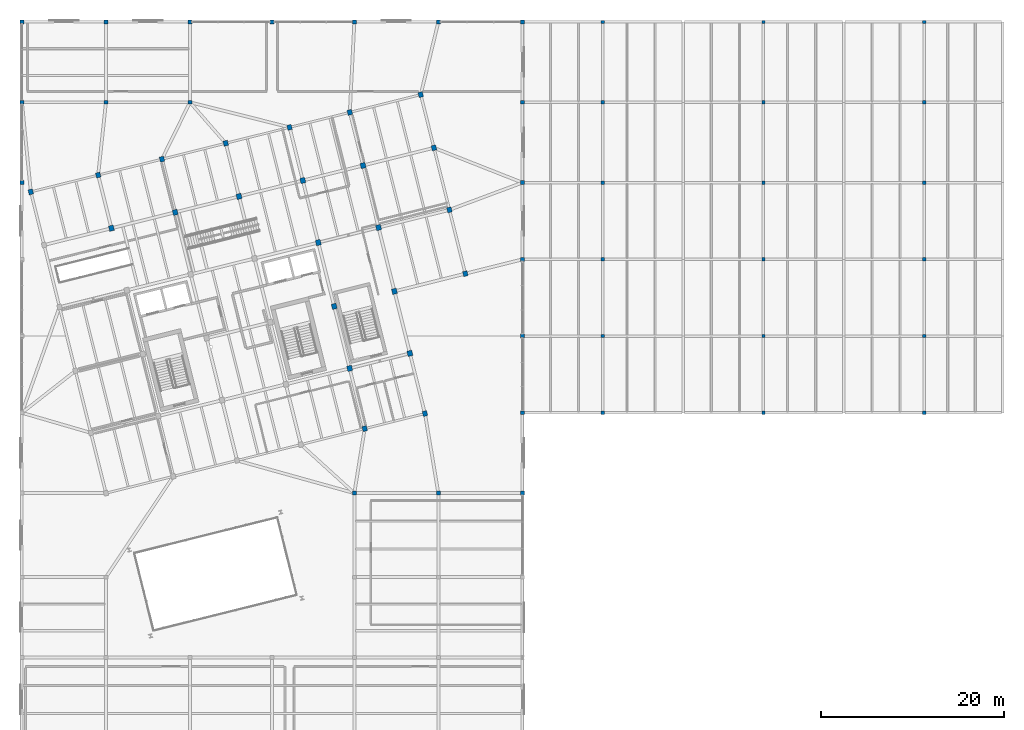
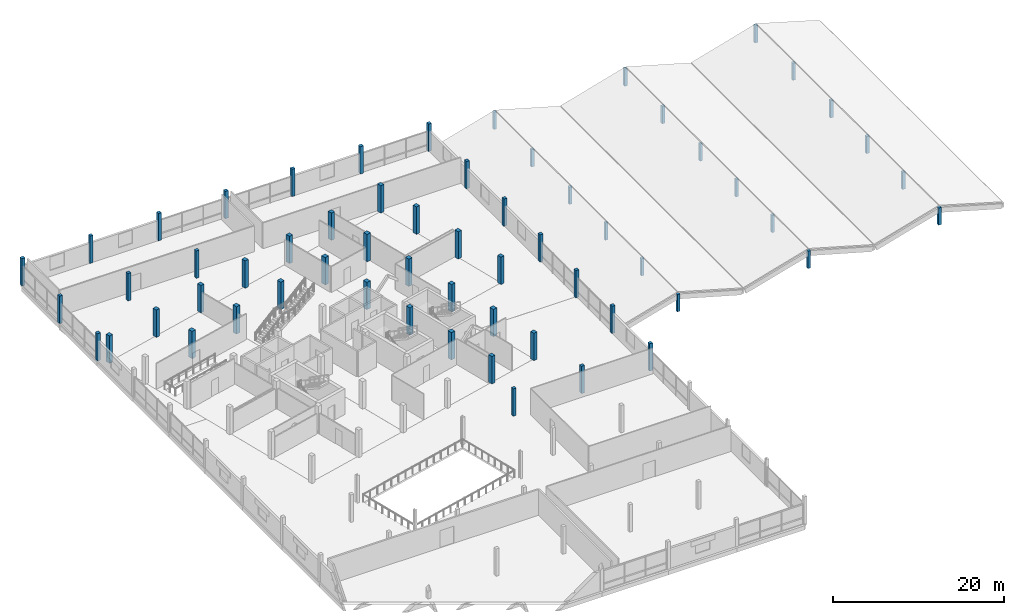
# One storey, part 4 of 47: 60 columns.
"""IFC4 building model written with IfcOpenShell, lengths in metres."""

from ifc_helpers import new_model, si_unit, direction, frame, origin, origin_2d, place, context, subcontext, project, spatial, rectangle, extrude, material, material_profile, profile_set, type_object, element, save


model = new_model("IFC4")

# Units and contexts
model_context = context("Model", 3, precision=1e-05, world=origin(), true_north=direction((0.0, 1.0)))
body_context = subcontext(model_context, "Body", "Model", "MODEL_VIEW")
ifc_project = project(units=[si_unit("LENGTHUNIT", "METRE"), si_unit("AREAUNIT", "SQUARE_METRE"), si_unit("VOLUMEUNIT", "CUBIC_METRE"), si_unit("PLANEANGLEUNIT", "RADIAN"), si_unit("MASSUNIT", "GRAM", prefix="KILO")], contexts=[model_context])

# Site, building, storey
site_placement = place(None, origin())
site = spatial("IfcSite", under=ifc_project, at=site_placement, CompositionType="ELEMENT")
building_placement = place(site_placement, origin())
building = spatial("IfcBuilding", under=site, at=building_placement, Name="Meriwether Solvik Hall", CompositionType="ELEMENT")
storey_placement = place(building_placement, frame((0.0, 0.0, 18.300048828125)))
storey = spatial("IfcBuildingStorey", under=building, at=storey_placement, Name="L04", CompositionType="ELEMENT", Elevation=18.300048828125)

# Columns
ifc_material_1 = material(Name="Glulam Douglas-Fir L2 GL28c", Category="wood")
ifc_material_profile_1 = material_profile(ifc_material_1, rectangle(XDim=0.364990234375, YDim=0.364990234375, at=origin_2d()), Name="GLC-365X365")
ifc_profile_set_1 = profile_set([ifc_material_profile_1], Name="Glulam Douglas-Fir L2 GL28c")
column_type_1 = type_object("IfcColumnType", Name="COL-GL-365X365", PredefinedType="COLUMN", material=ifc_profile_set_1)
for number, where, z_axis, x_axis, name in (
    (1, (123.0, 50.0, 0.0), (0.0, 0.0, 1.0), (1.0, 0.0, 0.0), "Roof Ridge Post 14/F (L04)"),
    (2, (123.0, 58.39990234375, 0.0), (0.0, 0.0, 1.0), (1.0, 0.0, 0.0), "Roof Ridge Post 14/G (L04)"),
    (3, (123.0, 66.800048828125, 0.0), (0.0, 0.0, 1.0), (1.0, 0.0, 0.0), "Roof Ridge Post 14/H (L04)"),
    (4, (123.0, 75.199951171875, 0.0), (0.0, 0.0, 1.0), (1.0, 0.0, 0.0), "Roof Ridge Post 14/I (L04)"),
    (5, (123.0, 84.0, 0.0), (0.0, 0.0, 1.0), (1.0, 0.0, 0.0), "Roof Ridge Post 14/J (L04)"),
    (6, (123.0, 92.800048828125, 0.0), (0.0, 0.0, 1.0), (1.0, 0.0, 0.0), "Roof Ridge Post 14/K (L04)"),
    (7, (140.60009765625, 50.0, 0.0), (0.0, 0.0, 1.0), (1.0, 0.0, 0.0), "Roof Ridge Post 16/F (L04)"),
    (8, (140.60009765625, 58.39990234375, 0.0), (0.0, 0.0, 1.0), (1.0, 0.0, 0.0), "Roof Ridge Post 16/G (L04)"),
    (9, (140.60009765625, 66.800048828125, 0.0), (0.0, 0.0, 1.0), (1.0, 0.0, 0.0), "Roof Ridge Post 16/H (L04)"),
    (10, (140.60009765625, 75.199951171875, 0.0), (0.0, 0.0, 1.0), (1.0, 0.0, 0.0), "Roof Ridge Post 16/I (L04)"),
    (11, (140.60009765625, 84.0, 0.0), (0.0, 0.0, 1.0), (1.0, 0.0, 0.0), "Roof Ridge Post 16/J (L04)"),
    (12, (140.60009765625, 92.800048828125, 0.0), (0.0, 0.0, 1.0), (1.0, 0.0, 0.0), "Roof Ridge Post 16/K (L04)"),
    (13, (158.199951171875, 50.0, 0.0), (0.0, 0.0, 1.0), (1.0, 0.0, 0.0), "Roof Ridge Post 18/F (L04)"),
    (14, (158.199951171875, 58.39990234375, 0.0), (0.0, 0.0, 1.0), (1.0, 0.0, 0.0), "Roof Ridge Post 18/G (L04)"),
    (15, (158.199951171875, 66.800048828125, 0.0), (0.0, 0.0, 1.0), (1.0, 0.0, 0.0), "Roof Ridge Post 18/H (L04)"),
    (16, (158.199951171875, 75.199951171875, 0.0), (0.0, 0.0, 1.0), (1.0, 0.0, 0.0), "Roof Ridge Post 18/I (L04)"),
    (17, (158.199951171875, 84.0, 0.0), (0.0, 0.0, 1.0), (1.0, 0.0, 0.0), "Roof Ridge Post 18/J (L04)"),
    (18, (158.199951171875, 92.800048828125, 0.0), (0.0, 0.0, 1.0), (1.0, 0.0, 0.0), "Roof Ridge Post 18/K (L04)"),
):
    element("IfcColumn", number, at=place(storey_placement, frame(where, z_axis=z_axis, x_axis=x_axis)), inside=storey, type_object=column_type_1, Name=name, PredefinedType="COLUMN", context=body_context, shape_type="SweptSolid", body=[
        extrude(rectangle(XDim=0.364990234375, YDim=0.364990234375, at=origin_2d()), origin(), (0.0, 0.0, 1.0), 2.460693359375),
    ])
ifc_material_2 = material(Name="Glulam Douglas-Fir L2 GL28c", Category="wood")
ifc_material_profile_2 = material_profile(ifc_material_2, rectangle(XDim=0.419921875, YDim=0.419921875, at=origin_2d()), Name="GLC-420X420")
ifc_profile_set_2 = profile_set([ifc_material_profile_2], Name="Glulam Douglas-Fir L2 GL28c")
column_type_2 = type_object("IfcColumnType", Name="COL-GL-420X420", PredefinedType="COLUMN", material=ifc_profile_set_2)
for number, where, z_axis, x_axis, name in (
    (19, (59.39990234375, 75.199951171875, 0.0), (0.0, 0.0, 1.0), (1.0, 0.0, 0.0), "Podium Column 7/I (L04)"),
    (20, (59.39990234375, 84.0, 0.0), (0.0, 0.0, 1.0), (1.0, 0.0, 0.0), "Podium Column 7/J (L04)"),
    (21, (59.39990234375, 92.800048828125, 0.0), (0.0, 0.0, 1.0), (1.0, 0.0, 0.0), "Podium Column 7/K (L04)"),
    (22, (68.60009765625, 84.0, 0.0), (0.0, 0.0, 1.0), (1.0, 0.0, 0.0), "Podium Column 8/J (L04)"),
    (23, (68.60009765625, 92.800048828125, 0.0), (0.0, 0.0, 1.0), (1.0, 0.0, 0.0), "Podium Column 8/K (L04)"),
    (24, (77.800048828125, 84.0, 0.0), (0.0, 0.0, 1.0), (1.0, 0.0, 0.0), "Podium Column 9/J (L04)"),
    (25, (77.800048828125, 92.800048828125, 0.0), (0.0, 0.0, 1.0), (1.0, 0.0, 0.0), "Podium Column 9/K (L04)"),
    (26, (86.800048828125, 92.800048828125, 0.0), (0.0, 0.0, 1.0), (1.0, 0.0, 0.0), "Podium Column 10/K (L04)"),
    (27, (95.800048828125, 41.199951171875, 0.0), (0.0, 0.0, 1.0), (1.0, 0.0, 0.0), "Podium Column 11/E (L04)"),
    (28, (95.800048828125, 92.800048828125, 0.0), (0.0, 0.0, 1.0), (1.0, 0.0, 0.0), "Podium Column 11/K (L04)"),
    (29, (105.0, 41.199951171875, 0.0), (0.0, 0.0, 1.0), (1.0, 0.0, 0.0), "Podium Column 12/E (L04)"),
    (30, (105.0, 92.800048828125, 0.0), (0.0, 0.0, 1.0), (1.0, 0.0, 0.0), "Podium Column 12/K (L04)"),
    (31, (114.199951171875, 41.199951171875, 0.0), (0.0, 0.0, 1.0), (1.0, 0.0, 0.0), "Podium Column 13/E (L04)"),
    (32, (114.199951171875, 50.0, 0.0), (0.0, 0.0, 1.0), (1.0, 0.0, 0.0), "Podium Column 13/F (L04)"),
    (33, (114.199951171875, 58.39990234375, 0.0), (0.0, 0.0, 1.0), (1.0, 0.0, 0.0), "Podium Column 13/G (L04)"),
    (34, (114.199951171875, 66.800048828125, 0.0), (0.0, 0.0, 1.0), (1.0, 0.0, 0.0), "Podium Column 13/H (L04)"),
    (35, (114.199951171875, 75.199951171875, 0.0), (0.0, 0.0, 1.0), (1.0, 0.0, 0.0), "Podium Column 13/I (L04)"),
    (36, (114.199951171875, 84.0, 0.0), (0.0, 0.0, 1.0), (1.0, 0.0, 0.0), "Podium Column 13/J (L04)"),
    (37, (114.199951171875, 92.800048828125, 0.0), (0.0, 0.0, 1.0), (1.0, 0.0, 0.0), "Podium Column 13/K (L04)"),
):
    element("IfcColumn", number, at=place(storey_placement, frame(where, z_axis=z_axis, x_axis=x_axis)), inside=storey, type_object=column_type_2, Name=name, PredefinedType="COLUMN", context=body_context, shape_type="SweptSolid", body=[
        extrude(rectangle(XDim=0.419921875, YDim=0.419921875, at=origin_2d()), origin(), (0.0, 0.0, 1.0), 3.89990234375),
    ])
ifc_material_3 = material(Name="Glulam Douglas-Fir L2 GL28c", Category="wood")
ifc_material_profile_3 = material_profile(ifc_material_3, rectangle(XDim=0.4951171875, YDim=0.570068359375, at=origin_2d()), Name="GLC-495X570")
ifc_profile_set_3 = profile_set([ifc_material_profile_3], Name="Glulam Douglas-Fir L2 GL28c")
column_type_3 = type_object("IfcColumnType", Name="COL-GL-495X570", PredefinedType="COLUMN", material=ifc_profile_set_3)
for number, where, z_axis, x_axis, name in (
    (38, (60.374755859375, 74.18994140625, 0.0), (0.0, 0.0, 1.0), (0.970295726276, 0.2419218956, 0.0), "Tower Column T1/TF (L04)"),
    (39, (67.7490234375, 76.028564453125, 0.0), (0.0, 0.0, 1.0), (0.970295726276, 0.2419218956, 0.0), "Tower Column T2/TF (L04)"),
    (40, (74.735107421875, 77.7705078125, 0.0), (0.0, 0.0, 1.0), (0.970295726276, 0.2419218956, 0.0), "Tower Column T3/TF (L04)"),
    (41, (81.72119140625, 79.512451171875, 0.0), (0.0, 0.0, 1.0), (0.970295726276, 0.2419218956, 0.0), "Tower Column T4/TF (L04)"),
    (42, (96.9326171875, 48.26416015625, 0.0), (0.0, 0.0, 1.0), (0.970295726276, 0.2419218956, 0.0), "Tower Column T5/TA (L04)"),
    (43, (88.707275390625, 81.254150390625, 0.0), (0.0, 0.0, 1.0), (0.970295726276, 0.2419218956, 0.0), "Tower Column T5/TF (L04)"),
    (44, (103.53076171875, 49.9091796875, 0.0), (0.0, 0.0, 1.0), (0.970295726276, 0.2419218956, 0.0), "Tower Column T6/TA (L04)"),
    (45, (95.305419921875, 82.899169921875, 0.0), (0.0, 0.0, 1.0), (0.970295726276, 0.2419218956, 0.0), "Tower Column T6/TF (L04)"),
    (46, (107.95458984375, 65.234619140625, 0.0), (0.0, 0.0, 1.0), (0.970295726276, 0.2419218956, 0.0), "Tower Column T7/TC (L04)"),
    (47, (106.212646484375, 72.220703125, 0.0), (0.0, 0.0, 1.0), (0.970295726276, 0.2419218956, 0.0), "Tower Column T7/TD (L04)"),
    (48, (104.519287109375, 79.012939453125, 0.0), (0.0, 0.0, 1.0), (0.970295726276, 0.2419218956, 0.0), "Tower Column T7/TE (L04)"),
    (49, (103.067626953125, 84.834716796875, 0.0), (0.0, 0.0, 1.0), (0.970295726276, 0.2419218956, 0.0), "Tower Column T7/TF (L04)"),
):
    element("IfcColumn", number, at=place(storey_placement, frame(where, z_axis=z_axis, x_axis=x_axis)), inside=storey, type_object=column_type_3, Name=name, PredefinedType="COLUMN", context=body_context, shape_type="SweptSolid", body=[
        extrude(rectangle(XDim=0.4951171875, YDim=0.570068359375, at=origin_2d()), origin(), (0.0, 0.0, 1.0), 3.89990234375),
    ])
ifc_material_4 = material(Name="Glulam Douglas-Fir L2 GL28c", Category="wood")
ifc_material_profile_4 = material_profile(ifc_material_4, rectangle(XDim=0.5400390625, YDim=0.60009765625, at=origin_2d()), Name="GLC-540X600")
ifc_profile_set_4 = profile_set([ifc_material_profile_4], Name="Glulam Douglas-Fir L2 GL28c")
column_type_4 = type_object("IfcColumnType", Name="COL-GL-540X600", PredefinedType="COLUMN", material=ifc_profile_set_4)
for number, where, z_axis, x_axis, name in (
    (50, (69.200439453125, 70.206787109375, 0.0), (0.0, 0.0, 1.0), (0.970295726276, 0.2419218956, 0.0), "Tower Column T2/TE (L04)"),
    (51, (76.1865234375, 71.94873046875, 0.0), (0.0, 0.0, 1.0), (0.970295726276, 0.2419218956, 0.0), "Tower Column T3/TE (L04)"),
    (52, (83.172607421875, 73.690673828125, 0.0), (0.0, 0.0, 1.0), (0.970295726276, 0.2419218956, 0.0), "Tower Column T4/TE (L04)"),
    (53, (95.28759765625, 54.862060546875, 0.0), (0.0, 0.0, 1.0), (0.970295726276, 0.2419218956, 0.0), "Tower Column T5/TB (L04)"),
    (54, (93.593994140625, 61.654296875, 0.0), (0.0, 0.0, 1.0), (0.970295726276, 0.2419218956, 0.0), "Tower Column T5/TC (L04)"),
    (55, (91.852294921875, 68.640380859375, 0.0), (0.0, 0.0, 1.0), (0.970295726276, 0.2419218956, 0.0), "Tower Column T5/TD (L04)"),
    (56, (90.158935546875, 75.432373046875, 0.0), (0.0, 0.0, 1.0), (0.970295726276, 0.2419218956, 0.0), "Tower Column T5/TE (L04)"),
    (57, (101.885498046875, 56.507080078125, 0.0), (0.0, 0.0, 1.0), (0.970295726276, 0.2419218956, 0.0), "Tower Column T6/TB (L04)"),
    (58, (100.192138671875, 63.29931640625, 0.0), (0.0, 0.0, 1.0), (0.970295726276, 0.2419218956, 0.0), "Tower Column T6/TC (L04)"),
    (59, (98.4501953125, 70.285400390625, 0.0), (0.0, 0.0, 1.0), (0.970295726276, 0.2419218956, 0.0), "Tower Column T6/TD (L04)"),
    (60, (96.7568359375, 77.077392578125, 0.0), (0.0, 0.0, 1.0), (0.970295726276, 0.2419218956, 0.0), "Tower Column T6/TE (L04)"),
):
    element("IfcColumn", number, at=place(storey_placement, frame(where, z_axis=z_axis, x_axis=x_axis)), inside=storey, type_object=column_type_4, Name=name, PredefinedType="COLUMN", context=body_context, shape_type="SweptSolid", body=[
        extrude(rectangle(XDim=0.5400390625, YDim=0.60009765625, at=origin_2d()), origin(), (0.0, 0.0, 1.0), 3.89990234375),
    ])

save(model, "model.ifc")
